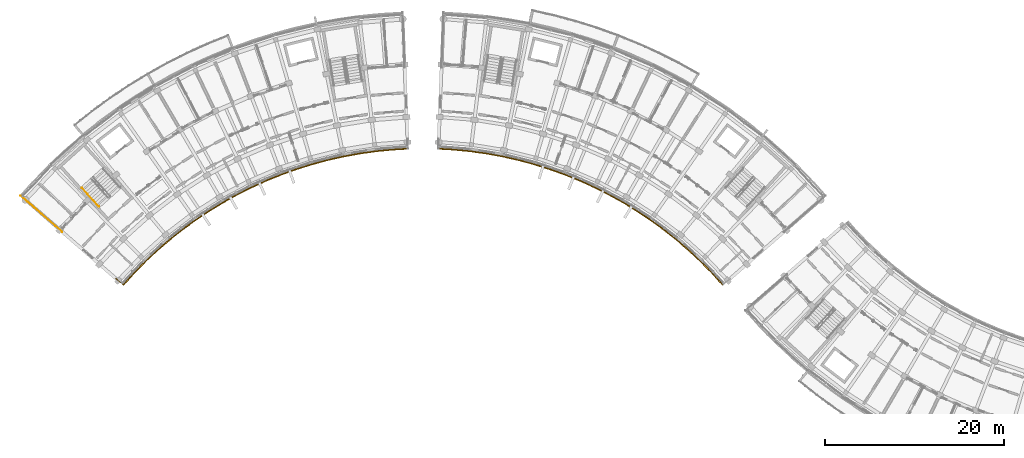
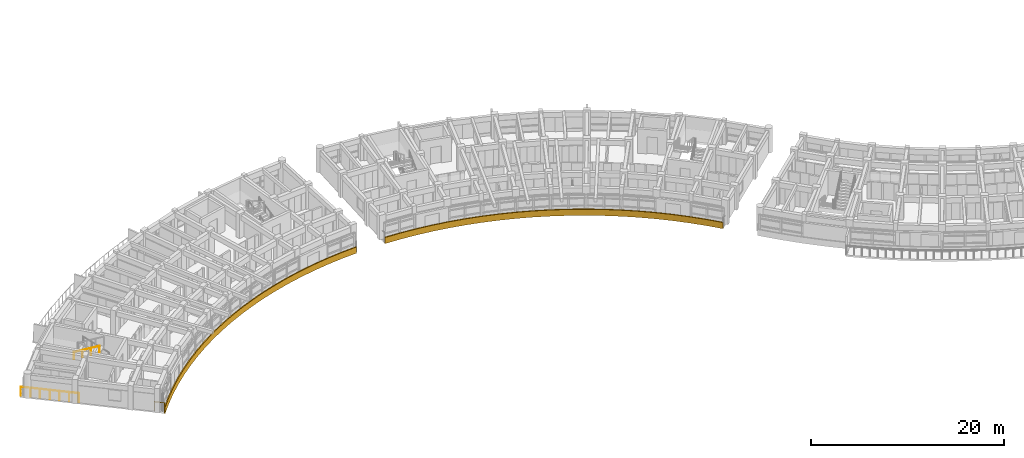
# One storey, part 41 of 54: 5 railings.
"""IFC4 building model written with IfcOpenShell, lengths in metres."""

from ifc_helpers import new_model, si_unit, direction, frame, origin, origin_2d, place, context, subcontext, project, spatial, polyline, circle, outline, extrude, material, type_object, element, save


model = new_model("IFC4")

# Units and contexts
model_context = context("Model", 3, precision=1e-05, world=origin(), true_north=direction((0.0, 1.0)))
body_context = subcontext(model_context, "Body", "Model", "MODEL_VIEW")
ifc_project = project(units=[si_unit("LENGTHUNIT", "METRE"), si_unit("AREAUNIT", "SQUARE_METRE"), si_unit("VOLUMEUNIT", "CUBIC_METRE"), si_unit("PLANEANGLEUNIT", "RADIAN"), si_unit("MASSUNIT", "GRAM", prefix="KILO")], contexts=[model_context])

# Site, building, storey
site_placement = place(None, origin())
site = spatial("IfcSite", under=ifc_project, at=site_placement, CompositionType="ELEMENT")
building_placement = place(site_placement, origin())
building = spatial("IfcBuilding", under=site, at=building_placement, Name="Zimvara Arc Housing Community", CompositionType="ELEMENT")
storey_placement = place(building_placement, frame((0.0, 0.0, 20.5)))
storey = spatial("IfcBuildingStorey", under=building, at=storey_placement, Name="L06", CompositionType="ELEMENT", Elevation=20.5)

# Railings
ifc_material_1 = material(Name="Anodised Aluminium AW-6063", Category="aluminium")
railing_type_1 = type_object("IfcRailingType", Name="RLG-BAL-1150", PredefinedType="BALUSTRADE", material=ifc_material_1)
railing_1_placement = place(storey_placement, frame((11.490966796875, 73.62890625, 0.0)))
element("IfcRailing", 1, at=railing_1_placement, inside=storey, type_object=railing_type_1, Name="rlg:blkA:L06:gable_in:g0", PredefinedType="BALUSTRADE", context=body_context, shape_type="SweptSolid", body=[
    extrude(circle(Radius=0.02392578125, at=origin_2d()), frame((0.0, 0.0, 1.1259765625), z_axis=(-0.754659042762, 0.656117161167, 0.0), x_axis=(-0.656117161167, -0.754659042762, 0.0)), (0.0, 0.0, 1.0), 1.080322265625),
    extrude(circle(Radius=0.02099609375, at=origin_2d()), origin(), (0.0, 0.0, 1.0), 1.101806640625),
    extrude(circle(Radius=0.02099609375, at=origin_2d()), frame((-0.815185546875, 0.708740234375, 0.0)), (0.0, 0.0, 1.0), 1.101806640625),
])
railing_2_placement = place(storey_placement, frame((4.668212890625, 79.559814453125, 0.0)))
element("IfcRailing", 2, at=railing_2_placement, inside=storey, type_object=railing_type_1, Name="rlg:blkA:L06:gable_out:g0", PredefinedType="BALUSTRADE", context=body_context, shape_type="SweptSolid", body=[
    extrude(circle(Radius=0.02392578125, at=origin_2d()), frame((0.0, 0.0, 1.1259765625), z_axis=(-0.754708757217, 0.656059975749, 0.0), x_axis=(-0.656059975749, -0.754708757217, 0.0)), (0.0, 0.0, 1.0), 6.159912109375),
    extrude(circle(Radius=0.02099609375, at=origin_2d()), origin(), (0.0, 0.0, 1.0), 1.101806640625),
    extrude(circle(Radius=0.02099609375, at=origin_2d()), frame((-0.77490234375, 0.673583984375, 0.0)), (0.0, 0.0, 1.0), 1.101806640625),
    extrude(circle(Radius=0.02099609375, at=origin_2d()), frame((-1.549560546875, 1.34716796875, 0.0)), (0.0, 0.0, 1.0), 1.101806640625),
    extrude(circle(Radius=0.02099609375, at=origin_2d()), frame((-2.324462890625, 2.0205078125, 0.0)), (0.0, 0.0, 1.0), 1.101806640625),
    extrude(circle(Radius=0.02099609375, at=origin_2d()), frame((-3.099365234375, 2.694091796875, 0.0)), (0.0, 0.0, 1.0), 1.101806640625),
    extrude(circle(Radius=0.02099609375, at=origin_2d()), frame((-3.8740234375, 3.36767578125, 0.0)), (0.0, 0.0, 1.0), 1.101806640625),
    extrude(circle(Radius=0.02099609375, at=origin_2d()), frame((-4.64892578125, 4.041259765625, 0.0)), (0.0, 0.0, 1.0), 1.101806640625),
])
ifc_material_2 = material(Name="Pale-Gold Anodised Aluminium AW-6063", Category="aluminium")
railing_type_2 = type_object("IfcRailingType", Name="RLG-FAS-780", PredefinedType="BALUSTRADE", material=ifc_material_2)
railing_3_placement = place(storey_placement, frame((0.0, 0.0, -0.219970703125)))
element("IfcRailing", 3, at=railing_3_placement, inside=storey, type_object=railing_type_2, Name="rlg:blkA:L06:gold_in", PredefinedType="BALUSTRADE", context=body_context, shape_type="SweptSolid", body=[
    extrude(outline(polyline([(11.55126953125, 73.576416015625), (12.766357421875, 74.91796875), (14.03515625, 76.208740234375), (15.355712890625, 77.446533203125), (16.7255859375, 78.62939453125), (18.142578125, 79.75537109375), (19.6044921875, 80.822509765625), (21.108642578125, 81.8291015625), (22.652587890625, 82.7734375), (24.234130859375, 83.654052734375), (25.849853515625, 84.46923828125), (27.497802734375, 85.2177734375), (29.1748046875, 85.8984375), (30.87841796875, 86.510009765625), (32.60546875, 87.051513671875), (34.35302734375, 87.522216796875), (36.11865234375, 87.9208984375), (37.898681640625, 88.247314453125), (39.69091796875, 88.5009765625), (41.491943359375, 88.680908203125), (43.298583984375, 88.787353515625), (43.2939453125, 88.9072265625), (41.482421875, 88.800537109375), (39.676513671875, 88.6201171875), (37.879638671875, 88.365966796875), (36.094482421875, 88.03857421875), (34.32421875, 87.638671875), (32.57177734375, 87.166748046875), (30.840087890625, 86.623779296875), (29.132080078125, 86.010498046875), (27.450439453125, 85.328125), (25.798095703125, 84.577392578125), (24.177734375, 83.760009765625), (22.59228515625, 82.877197265625), (21.0439453125, 81.93017578125), (19.53564453125, 80.9208984375), (18.06982421875, 79.850830078125), (16.64892578125, 78.721923828125), (15.275390625, 77.53564453125), (13.951416015625, 76.29443359375), (12.678955078125, 75.000244140625), (11.460693359375, 73.6552734375), (11.55126953125, 73.576416015625)])), origin(), (0.0, 0.0, 1.0), 0.780029296875),
])
railing_4_placement = place(storey_placement, frame((0.0, 0.0, -0.219970703125)))
element("IfcRailing", 4, at=railing_4_placement, inside=storey, type_object=railing_type_2, Name="rlg:blkB:L06:gold_in", PredefinedType="BALUSTRADE", context=body_context, shape_type="SweptSolid", body=[
    extrude(outline(polyline([(46.701416015625, 88.787353515625), (48.508056640625, 88.680908203125), (50.30908203125, 88.5009765625), (52.101318359375, 88.247314453125), (53.88134765625, 87.9208984375), (55.64697265625, 87.522216796875), (57.39453125, 87.051513671875), (59.12158203125, 86.510009765625), (60.8251953125, 85.8984375), (62.502197265625, 85.2177734375), (64.150146484375, 84.46923828125), (65.765869140625, 83.654052734375), (67.347412109375, 82.7734375), (68.891357421875, 81.8291015625), (70.3955078125, 80.822509765625), (71.857421875, 79.75537109375), (73.2744140625, 78.62939453125), (74.644287109375, 77.446533203125), (75.96484375, 76.208740234375), (77.233642578125, 74.91796875), (78.44873046875, 73.576416015625), (78.539306640625, 73.6552734375), (77.321044921875, 75.000244140625), (76.048583984375, 76.29443359375), (74.724609375, 77.53564453125), (73.35107421875, 78.721923828125), (71.93017578125, 79.850830078125), (70.46435546875, 80.9208984375), (68.9560546875, 81.93017578125), (67.40771484375, 82.877197265625), (65.822265625, 83.760009765625), (64.201904296875, 84.577392578125), (62.549560546875, 85.328125), (60.867919921875, 86.010498046875), (59.159912109375, 86.623779296875), (57.42822265625, 87.166748046875), (55.67578125, 87.638671875), (53.905517578125, 88.03857421875), (52.120361328125, 88.365966796875), (50.323486328125, 88.6201171875), (48.517578125, 88.800537109375), (46.7060546875, 88.9072265625), (46.701416015625, 88.787353515625)])), origin(), (0.0, 0.0, 1.0), 0.780029296875),
])
ifc_material_3 = material(Name="Anodised Aluminium AW-6063", Category="aluminium")
railing_type_3 = type_object("IfcRailingType", Name="RLG-HND-900", PredefinedType="HANDRAIL", material=ifc_material_3)
railing_5_placement = place(storey_placement, frame((6.890869140625, 84.476806640625, 1.705078125)))
element("IfcRailing", 5, at=railing_5_placement, inside=storey, type_object=railing_type_3, Name="L06 ST-A1 stair handrail 2", PredefinedType="HANDRAIL", context=body_context, shape_type="SweptSolid", body=[
    extrude(circle(Radius=0.02392578125, at=origin_2d()), frame((0.0, 0.0, 0.8759765625), z_axis=(0.599067985855, -0.665717608404, 0.444901802856), x_axis=(0.743337374551, 0.668916697052, 0.0)), (0.0, 0.0, 1.0), 3.135498046875),
    extrude(circle(Radius=0.02099609375, at=origin_2d()), origin(), (0.0, 0.0, 1.0), 0.851806640625),
    extrude(circle(Radius=0.02099609375, at=origin_2d()), frame((0.626220703125, -0.69580078125, 0.465087890625)), (0.0, 0.0, 1.0), 0.851806640625),
    extrude(circle(Radius=0.02099609375, at=origin_2d()), frame((1.252197265625, -1.3916015625, 0.929931640625)), (0.0, 0.0, 1.0), 0.851806640625),
    extrude(circle(Radius=0.02099609375, at=origin_2d()), frame((1.87841796875, -2.08740234375, 1.39501953125)), (0.0, 0.0, 1.0), 0.851806640625),
])

save(model, "model.ifc")
